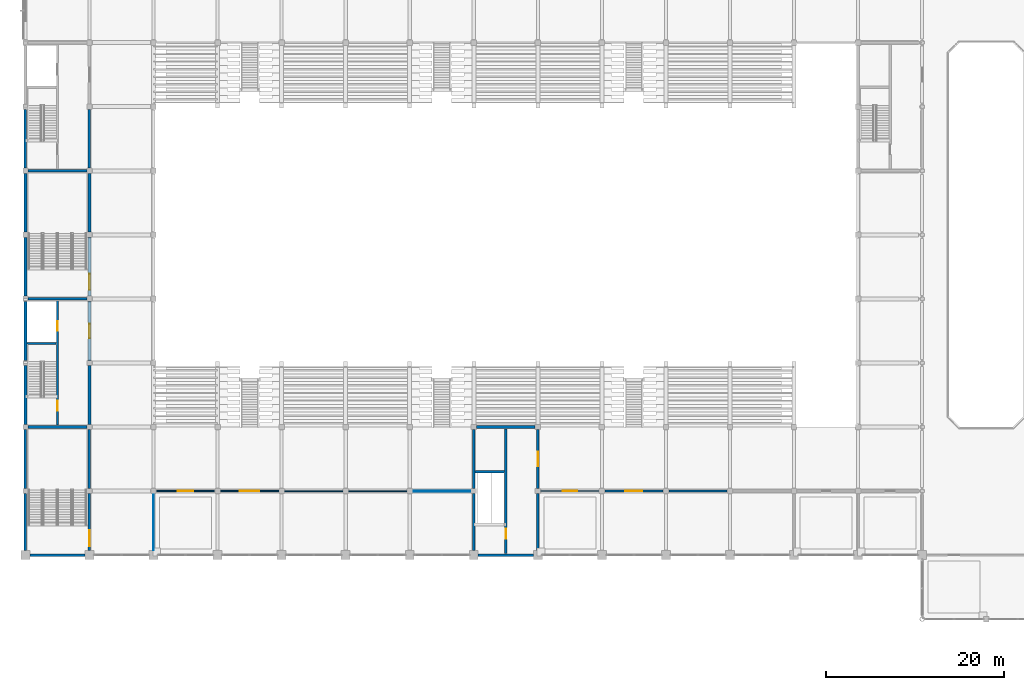
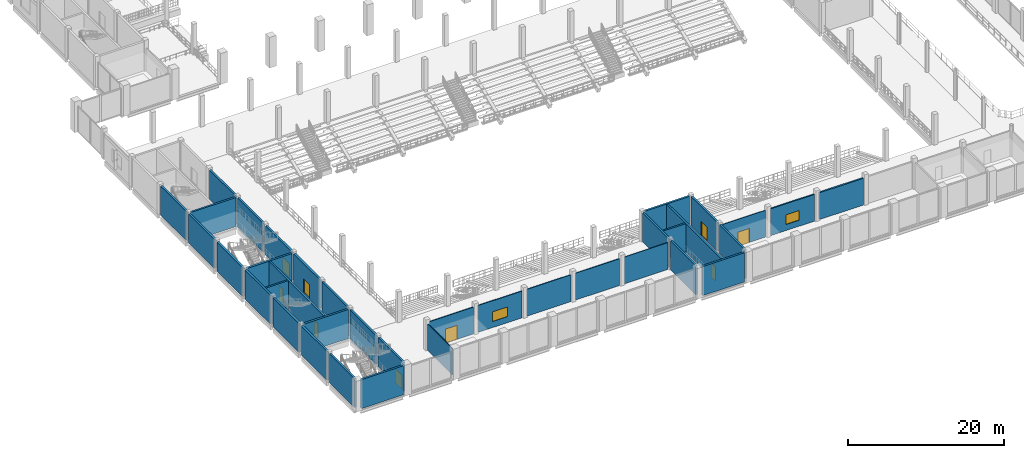
# One storey, part 65 of 99: 37 walls, 9 doors, 2 windows, 11 openings.
"""IFC4 building model written with IfcOpenShell, lengths in metres."""

from ifc_helpers import new_model, si_unit, direction, frame, frame_2d, origin, place, context, subcontext, project, spatial, rectangle, extrude, material, layer, layer_set, type_object, element, fill, save


model = new_model("IFC4")

# Units and contexts
model_context = context("Model", 3, precision=1e-05, world=origin(), true_north=direction((0.0, 1.0)))
body_context = subcontext(model_context, "Body", "Model", "MODEL_VIEW")
ifc_project = project(units=[si_unit("LENGTHUNIT", "METRE"), si_unit("AREAUNIT", "SQUARE_METRE"), si_unit("VOLUMEUNIT", "CUBIC_METRE"), si_unit("PLANEANGLEUNIT", "RADIAN"), si_unit("MASSUNIT", "GRAM", prefix="KILO")], contexts=[model_context])

# Site, building, storey
site_placement = place(None, origin())
site = spatial("IfcSite", under=ifc_project, at=site_placement, CompositionType="ELEMENT")
building_placement = place(site_placement, origin())
building = spatial("IfcBuilding", under=site, at=building_placement, Name="Vesperath Aquatics Centre", CompositionType="ELEMENT")
storey_placement = place(building_placement, frame((0.0, 0.0, 5.39990234375)))
storey = spatial("IfcBuildingStorey", under=building, at=storey_placement, Name="L01", CompositionType="ELEMENT", Elevation=5.39990234375)

# Wall
ifc_material_1 = material(Name="Autoclaved aerated masonry blockwork", Category="masonry")
ifc_layer_1 = layer(ifc_material_1, 0.22998046875)
ifc_layer_set_1 = layer_set([ifc_layer_1], Name="Autoclaved aerated masonry blockwork")
wall_type_1 = type_object("IfcWallType", Name="WL-FW01", PredefinedType="SOLIDWALL", material=ifc_layer_set_1)
wall_1_placement = place(storey_placement, frame((72.35009765625, 21.60009765625, 0.0), z_axis=(0.0, 0.0, 1.0), x_axis=(1.0, 0.0, 0.0)))
element("IfcWall", 1, at=wall_1_placement, inside=storey, type_object=wall_type_1, Name="Interior Partition FW01 L01_KIOSK_S2-N3", PredefinedType="SOLIDWALL", context=body_context, shape_type="SweptSolid", body=[
    extrude(rectangle(XDim=6.5, YDim=0.22998046875, at=frame_2d((3.25, 0.0))), origin(), (0.0, 0.0, 1.0), 4.190185546875),
])

# Wall, opening, door
ifc_material_2 = material(Name="Changing cubicle masonry-backed partition", Category="masonry")
ifc_layer_2 = layer(ifc_material_2, 0.137939453125)
ifc_layer_set_2 = layer_set([ifc_layer_2], Name="Changing cubicle masonry-backed partition")
wall_type_2 = type_object("IfcWallType", Name="WL-IW07", PredefinedType="PARTITIONING", material=ifc_layer_set_2)
wall_2_placement = place(storey_placement, frame((14.75, 21.60009765625, 0.0), z_axis=(0.0, 0.0, 1.0), x_axis=(1.0, 0.0, 0.0)))
wall_2 = element("IfcWall", 2, at=wall_2_placement, inside=storey, type_object=wall_type_2, Name="Interior Partition IW07 L01_KIOSK_S1-N1", PredefinedType="PARTITIONING", context=body_context, shape_type="SweptSolid", body=[
    extrude(rectangle(XDim=6.5, YDim=0.137939453125, at=frame_2d((3.25, 0.0))), origin(), (0.0, 0.0, 1.0), 4.190185546875),
])
opening_1_placement = place(wall_2_placement, frame((2.39990234375, 0.0, 0.0)))
opening_1 = element("IfcOpeningElement", 3, at=opening_1_placement, cuts=wall_2, Name="Opening D09", PredefinedType="OPENING", context=body_context, shape_type="SweptSolid", body=[
    extrude(rectangle(XDim=1.699951171875, YDim=2.199951171875, at=frame_2d((0.85009765625, 1.10009765625))), frame((0.0, 0.083984375, 0.0), z_axis=(0.0, -1.0, 0.0), x_axis=(1.0, 0.0, 0.0)), (0.0, 0.0, 1.0), 0.167724609375),
])
ifc_material_3 = material(Name="Wet-village marine-grade aluminium double door", Category="aluminium")
door_type_1 = type_object("IfcDoorType", Name="DR-RM01", OperationType="DOUBLE_SWING_LEFT", PredefinedType="DOOR", material=ifc_material_3)
door_1_placement = place(opening_1_placement, frame((1.699951171875, 0.0, 0.0), z_axis=(0.0, 0.0, 1.0), x_axis=(-1.0, 0.0, 0.0)))
door_1 = element("IfcDoor", 4, at=door_1_placement, inside=storey, type_object=door_type_1, Name="South-West Spectator Refreshment Kiosk Door D09", OperationType="DOUBLE_SWING_LEFT", OverallHeight=2.199951171875, OverallWidth=1.699951171875, PredefinedType="DOOR", context=body_context, shape_type="SweptSolid", body=[
    extrude(rectangle(XDim=1.699951171875, YDim=2.199951171875, at=frame_2d((0.85009765625, 1.10009765625))), frame((0.0, 0.02490234375, 0.0), z_axis=(0.0, -1.0, 0.0), x_axis=(1.0, 0.0, 0.0)), (0.0, 0.0, 1.0), 0.050048828125),
])
fill(opening_1, door_1)

# Wall, opening, window
ifc_material_4 = material(Name="Sanitary plumbing wall", Category="gypsum")
ifc_layer_3 = layer(ifc_material_4, 0.1298828125)
ifc_layer_set_3 = layer_set([ifc_layer_3], Name="Sanitary plumbing wall")
wall_type_3 = type_object("IfcWallType", Name="WL-IW08", PredefinedType="PARTITIONING", material=ifc_layer_set_3)
wall_3_placement = place(storey_placement, frame((21.949951171875, 21.60009765625, 0.0), z_axis=(0.0, 0.0, 1.0), x_axis=(1.0, 0.0, 0.0)))
wall_3 = element("IfcWall", 5, at=wall_3_placement, inside=storey, type_object=wall_type_3, Name="Interior Partition IW08 L01_KIOSK_S1-N2", PredefinedType="PARTITIONING", context=body_context, shape_type="SweptSolid", body=[
    extrude(rectangle(XDim=6.5, YDim=0.1298828125, at=frame_2d((3.25, 0.0))), origin(), (0.0, 0.0, 1.0), 4.190185546875),
])
opening_2_placement = place(wall_3_placement, frame((2.14990234375, 0.0, 0.949951171875)))
opening_2 = element("IfcOpeningElement", 6, at=opening_2_placement, cuts=wall_3, Name="Opening VW03", PredefinedType="OPENING", context=body_context, shape_type="SweptSolid", body=[
    extrude(rectangle(XDim=2.199951171875, YDim=1.5, at=frame_2d((1.10009765625, 0.75))), frame((0.0, 0.079833984375, 0.0), z_axis=(0.0, -1.0, 0.0), x_axis=(1.0, 0.0, 0.0)), (0.0, 0.0, 1.0), 0.15966796875),
])
ifc_material_5 = material(Name="Acoustic laminated interior viewing glazing", Category="glass")
window_type_1 = type_object("IfcWindowType", Name="WN-IW03", PartitioningType="SINGLE_PANEL", PredefinedType="WINDOW", material=ifc_material_5)
window_1_placement = place(opening_2_placement, origin())
window_1 = element("IfcWindow", 7, at=window_1_placement, inside=storey, type_object=window_type_1, Name="Interior Viewing Window VW03 L01_KIOSK_S1", OverallHeight=1.5, OverallWidth=2.199951171875, PartitioningType="SINGLE_PANEL", PredefinedType="WINDOW", context=body_context, shape_type="SweptSolid", body=[
    extrude(rectangle(XDim=2.199951171875, YDim=1.5, at=frame_2d((1.10009765625, 0.75))), frame((0.0, 0.030029296875, 0.0), z_axis=(0.0, -1.0, 0.0), x_axis=(1.0, 0.0, 0.0)), (0.0, 0.0, 1.0), 0.06005859375),
])
fill(opening_2, window_1)

# Walls
ifc_material_6 = material(Name="Office dry-lined partition", Category="gypsum")
ifc_layer_4 = layer(ifc_material_6, 0.1220703125)
ifc_layer_set_4 = layer_set([ifc_layer_4], Name="Office dry-lined partition")
wall_type_4 = type_object("IfcWallType", Name="WL-IW09", PredefinedType="PARTITIONING", material=ifc_layer_set_4)
wall_4_placement = place(storey_placement, frame((29.14990234375, 21.60009765625, 0.0), z_axis=(0.0, 0.0, 1.0), x_axis=(1.0, 0.0, 0.0)))
element("IfcWall", 8, at=wall_4_placement, inside=storey, type_object=wall_type_4, Name="Interior Partition IW09 L01_KIOSK_S1-N3", PredefinedType="PARTITIONING", context=body_context, shape_type="SweptSolid", body=[
    extrude(rectangle(XDim=6.5, YDim=0.1220703125, at=frame_2d((3.25, 0.0))), origin(), (0.0, 0.0, 1.0), 4.190185546875),
])
ifc_material_7 = material(Name="Store dry-lined partition", Category="gypsum")
ifc_layer_5 = layer(ifc_material_7, 0.114990234375)
ifc_layer_set_5 = layer_set([ifc_layer_5], Name="Store dry-lined partition")
wall_type_5 = type_object("IfcWallType", Name="WL-IW10", PredefinedType="PARTITIONING", material=ifc_layer_set_5)
wall_5_placement = place(storey_placement, frame((36.35009765625, 21.60009765625, 0.0), z_axis=(0.0, 0.0, 1.0), x_axis=(1.0, 0.0, 0.0)))
element("IfcWall", 9, at=wall_5_placement, inside=storey, type_object=wall_type_5, Name="Interior Partition IW10 L01_KIOSK_S1-N4", PredefinedType="PARTITIONING", context=body_context, shape_type="SweptSolid", body=[
    extrude(rectangle(XDim=6.5, YDim=0.114990234375, at=frame_2d((3.25, 0.0))), origin(), (0.0, 0.0, 1.0), 4.190185546875),
])
ifc_material_8 = material(Name="Kiosk counter partition", Category="gypsum")
ifc_layer_6 = layer(ifc_material_8, 0.10791015625)
ifc_layer_set_6 = layer_set([ifc_layer_6], Name="Kiosk counter partition")
wall_type_6 = type_object("IfcWallType", Name="WL-IW11", PredefinedType="PARTITIONING", material=ifc_layer_set_6)
wall_6_placement = place(storey_placement, frame((43.550048828125, 21.60009765625, 0.0), z_axis=(0.0, 0.0, 1.0), x_axis=(1.0, 0.0, 0.0)))
element("IfcWall", 10, at=wall_6_placement, inside=storey, type_object=wall_type_6, Name="Interior Partition IW11 L01_KIOSK_S1-N5", PredefinedType="PARTITIONING", context=body_context, shape_type="SweptSolid", body=[
    extrude(rectangle(XDim=6.5, YDim=0.10791015625, at=frame_2d((3.25, 0.0))), origin(), (0.0, 0.0, 1.0), 4.190185546875),
])
ifc_material_9 = material(Name="Light room sub-partition", Category="gypsum")
ifc_layer_7 = layer(ifc_material_9, 0.10009765625)
ifc_layer_set_7 = layer_set([ifc_layer_7], Name="Light room sub-partition")
wall_type_7 = type_object("IfcWallType", Name="WL-IW12", PredefinedType="PARTITIONING", material=ifc_layer_set_7)
wall_7_placement = place(storey_placement, frame((14.39990234375, 14.949951171875, 0.0), z_axis=(0.0, 0.0, 1.0), x_axis=(0.0, 1.0, 0.0)))
element("IfcWall", 11, at=wall_7_placement, inside=storey, type_object=wall_type_7, Name="Interior Partition IW12 L01_KIOSK_S1-W1", PredefinedType="PARTITIONING", context=body_context, shape_type="SweptSolid", body=[
    extrude(rectangle(XDim=6.300048828125, YDim=0.10009765625, at=frame_2d((3.14990234375, 0.0))), origin(), (0.0, 0.0, 1.0), 4.150146484375),
])

# Wall, opening, door
ifc_material_10 = material(Name="Poolside glazed screen partition", Category="gypsum")
ifc_layer_8 = layer(ifc_material_10, 0.094970703125)
ifc_layer_set_8 = layer_set([ifc_layer_8], Name="Poolside glazed screen partition")
wall_type_8 = type_object("IfcWallType", Name="WL-IW13", PredefinedType="PARTITIONING", material=ifc_layer_set_8)
wall_8_placement = place(storey_placement, frame((57.949951171875, 21.60009765625, 0.0), z_axis=(0.0, 0.0, 1.0), x_axis=(1.0, 0.0, 0.0)))
wall_8 = element("IfcWall", 12, at=wall_8_placement, inside=storey, type_object=wall_type_8, Name="Interior Partition IW13 L01_KIOSK_S2-N1", PredefinedType="PARTITIONING", context=body_context, shape_type="SweptSolid", body=[
    extrude(rectangle(XDim=6.5, YDim=0.094970703125, at=frame_2d((3.25, 0.0))), origin(), (0.0, 0.0, 1.0), 4.190185546875),
])
opening_3_placement = place(wall_8_placement, frame((2.425048828125, 0.0, 0.0)))
opening_3 = element("IfcOpeningElement", 13, at=opening_3_placement, cuts=wall_8, Name="Opening D10", PredefinedType="OPENING", context=body_context, shape_type="SweptSolid", body=[
    extrude(rectangle(XDim=1.64990234375, YDim=2.199951171875, at=frame_2d((0.824951171875, 1.10009765625))), frame((0.0, 0.0625, 0.0), z_axis=(0.0, -1.0, 0.0), x_axis=(1.0, 0.0, 0.0)), (0.0, 0.0, 1.0), 0.124755859375),
])
ifc_material_11 = material(Name="Team changing double fire door", Category="steel")
door_type_2 = type_object("IfcDoorType", Name="DR-RM02", OperationType="DOUBLE_SWING_LEFT", PredefinedType="DOOR", material=ifc_material_11)
door_2_placement = place(opening_3_placement, frame((1.64990234375, 0.0, 0.0), z_axis=(0.0, 0.0, 1.0), x_axis=(-1.0, 0.0, 0.0)))
door_2 = element("IfcDoor", 14, at=door_2_placement, inside=storey, type_object=door_type_2, Name="South-East Spectator Refreshment Bar Door D10", OperationType="DOUBLE_SWING_LEFT", OverallHeight=2.199951171875, OverallWidth=1.64990234375, PredefinedType="DOOR", context=body_context, shape_type="SweptSolid", body=[
    extrude(rectangle(XDim=1.64990234375, YDim=2.199951171875, at=frame_2d((0.824951171875, 1.10009765625))), frame((0.0, 0.02490234375, 0.0), z_axis=(0.0, -1.0, 0.0), x_axis=(1.0, 0.0, 0.0)), (0.0, 0.0, 1.0), 0.050048828125),
])
fill(opening_3, door_2)

# Wall, opening, window
ifc_material_12 = material(Name="Shaft enclosure fire partition", Category="gypsum")
ifc_layer_9 = layer(ifc_material_12, 0.195068359375)
ifc_layer_set_9 = layer_set([ifc_layer_9], Name="Shaft enclosure fire partition")
wall_type_9 = type_object("IfcWallType", Name="WL-IW14", PredefinedType="PARTITIONING", material=ifc_layer_set_9)
wall_9_placement = place(storey_placement, frame((65.14990234375, 21.60009765625, 0.0), z_axis=(0.0, 0.0, 1.0), x_axis=(1.0, 0.0, 0.0)))
wall_9 = element("IfcWall", 15, at=wall_9_placement, inside=storey, type_object=wall_type_9, Name="Interior Partition IW14 L01_KIOSK_S2-N2", PredefinedType="PARTITIONING", context=body_context, shape_type="SweptSolid", body=[
    extrude(rectangle(XDim=6.5, YDim=0.195068359375, at=frame_2d((3.25, 0.0))), origin(), (0.0, 0.0, 1.0), 4.190185546875),
])
opening_4_placement = place(wall_9_placement, frame((2.300048828125, 0.0, 0.949951171875)))
opening_4 = element("IfcOpeningElement", 16, at=opening_4_placement, cuts=wall_9, Name="Opening VW04", PredefinedType="OPENING", context=body_context, shape_type="SweptSolid", body=[
    extrude(rectangle(XDim=1.89990234375, YDim=1.5, at=frame_2d((0.949951171875, 0.75))), frame((0.0, 0.1123046875, 0.0), z_axis=(0.0, -1.0, 0.0), x_axis=(1.0, 0.0, 0.0)), (0.0, 0.0, 1.0), 0.224853515625),
])
window_type_2 = type_object("IfcWindowType", Name="WN-IW04", PartitioningType="SINGLE_PANEL", PredefinedType="WINDOW", material=ifc_material_5)
window_2_placement = place(opening_4_placement, origin())
window_2 = element("IfcWindow", 17, at=window_2_placement, inside=storey, type_object=window_type_2, Name="Interior Viewing Window VW04 L01_KIOSK_S2", OverallHeight=1.5, OverallWidth=1.89990234375, PartitioningType="SINGLE_PANEL", PredefinedType="WINDOW", context=body_context, shape_type="SweptSolid", body=[
    extrude(rectangle(XDim=1.89990234375, YDim=1.5, at=frame_2d((0.949951171875, 0.75))), frame((0.0, 0.030029296875, 0.0), z_axis=(0.0, -1.0, 0.0), x_axis=(1.0, 0.0, 0.0)), (0.0, 0.0, 1.0), 0.06005859375),
])
fill(opening_4, window_2)

# Walls
ifc_material_13 = material(Name="Concrete C40", Category="concrete")
ifc_layer_10 = layer(ifc_material_13, 0.300048828125)
ifc_layer_set_10 = layer_set([ifc_layer_10], Name="Concrete C40")
wall_type_10 = type_object("IfcWallType", Name="WL-SW01", PredefinedType="SHEAR", material=ifc_layer_set_10)
for number, where, z_axis, x_axis, name in (
    (18, (0.300048828125, 28.800048828125, 0.0), (0.0, 0.0, 1.0), (1.0, 0.0, 0.0), "Core C1 South Shear Wall SW01 L01"),
    (19, (0.300048828125, 43.199951171875, 0.0), (0.0, 0.0, 1.0), (1.0, 0.0, 0.0), "Core C1 North Shear Wall SW01 L01"),
    (20, (7.199951171875, 29.10009765625, 0.0), (0.0, 0.0, 1.0), (0.0, 1.0, 0.0), "Core C1 East-1 Shear Wall SW01 L01"),
):
    element("IfcWall", number, at=place(storey_placement, frame(where, z_axis=z_axis, x_axis=x_axis)), inside=storey, type_object=wall_type_10, Name=name, PredefinedType="SHEAR", context=body_context, shape_type="SweptSolid", body=[
        extrude(rectangle(XDim=6.599853515625, YDim=0.300048828125, at=frame_2d((3.2998046875, 0.0))), origin(), (0.0, 0.0, 1.0), 4.5400390625),
    ])

# Wall, opening, door
wall_10_placement = place(storey_placement, frame((7.199951171875, 36.300048828125, 0.0), z_axis=(0.0, 0.0, 1.0), x_axis=(0.0, 1.0, 0.0)))
wall_10 = element("IfcWall", 21, at=wall_10_placement, inside=storey, type_object=wall_type_10, Name="Core C1 East-2 Shear Wall SW01 L01", PredefinedType="SHEAR", context=body_context, shape_type="SweptSolid", body=[
    extrude(rectangle(XDim=6.599853515625, YDim=0.300048828125, at=frame_2d((3.2998046875, 0.0))), origin(), (0.0, 0.0, 1.0), 4.5400390625),
])
opening_5_placement = place(wall_10_placement, frame((2.5, 0.0, 0.0)))
opening_5 = element("IfcOpeningElement", 22, at=opening_5_placement, cuts=wall_10, Name="Opening D02", PredefinedType="OPENING", context=body_context, shape_type="SweptSolid", body=[
    extrude(rectangle(XDim=1.60009765625, YDim=2.199951171875, at=frame_2d((0.800048828125, 1.10009765625))), frame((0.0, 0.1650390625, 0.0), z_axis=(0.0, -1.0, 0.0), x_axis=(1.0, 0.0, 0.0)), (0.0, 0.0, 1.0), 0.329833984375),
])
ifc_material_14 = material(Name="Glazed fire-rated lobby double door", Category="steel")
door_type_3 = type_object("IfcDoorType", Name="DR-FD02", OperationType="DOUBLE_SWING_LEFT", PredefinedType="DOOR", material=ifc_material_14)
door_3_placement = place(opening_5_placement, frame((1.60009765625, 0.0, 0.0), z_axis=(0.0, 0.0, 1.0), x_axis=(-1.0, 0.0, 0.0)))
door_3 = element("IfcDoor", 23, at=door_3_placement, inside=storey, type_object=door_type_3, Name="Core C1 Lobby Fire Door D02 L01", OperationType="DOUBLE_SWING_LEFT", OverallHeight=2.199951171875, OverallWidth=1.60009765625, PredefinedType="DOOR", context=body_context, shape_type="SweptSolid", body=[
    extrude(rectangle(XDim=1.60009765625, YDim=2.199951171875, at=frame_2d((0.800048828125, 1.10009765625))), frame((0.0, 0.02490234375, 0.0), z_axis=(0.0, -1.0, 0.0), x_axis=(1.0, 0.0, 0.0)), (0.0, 0.0, 1.0), 0.050048828125),
])
fill(opening_5, door_3)

wall_11_placement = place(storey_placement, frame((7.199951171875, 43.5, 0.0), z_axis=(0.0, 0.0, 1.0), x_axis=(0.0, 1.0, 0.0)))
wall_11 = element("IfcWall", 24, at=wall_11_placement, inside=storey, type_object=wall_type_10, Name="Core C11 East-1 Shear Wall SW01 L01", PredefinedType="SHEAR", context=body_context, shape_type="SweptSolid", body=[
    extrude(rectangle(XDim=6.60009765625, YDim=0.300048828125, at=frame_2d((3.300048828125, 0.0))), origin(), (0.0, 0.0, 1.0), 4.5400390625),
])
opening_6_placement = place(wall_11_placement, frame((0.699951171875, 0.0, 0.0)))
opening_6 = element("IfcOpeningElement", 25, at=opening_6_placement, cuts=wall_11, Name="Opening D03", PredefinedType="OPENING", context=body_context, shape_type="SweptSolid", body=[
    extrude(rectangle(XDim=1.800048828125, YDim=2.199951171875, at=frame_2d((0.89990234375, 1.10009765625))), frame((0.0, 0.1650390625, 0.0), z_axis=(0.0, -1.0, 0.0), x_axis=(1.0, 0.0, 0.0)), (0.0, 0.0, 1.0), 0.329833984375),
])
ifc_material_15 = material(Name="Corridor smoke-control double fire door", Category="steel")
door_type_4 = type_object("IfcDoorType", Name="DR-FD03", OperationType="DOUBLE_SWING_LEFT", PredefinedType="DOOR", material=ifc_material_15)
door_4_placement = place(opening_6_placement, origin())
door_4 = element("IfcDoor", 26, at=door_4_placement, inside=storey, type_object=door_type_4, Name="Stair ST11 Fire Door D03 L01", OperationType="DOUBLE_SWING_LEFT", OverallHeight=2.199951171875, OverallWidth=1.800048828125, PredefinedType="DOOR", context=body_context, shape_type="SweptSolid", body=[
    extrude(rectangle(XDim=1.800048828125, YDim=2.199951171875, at=frame_2d((0.89990234375, 1.10009765625))), frame((0.0, 0.02490234375, 0.0), z_axis=(0.0, -1.0, 0.0), x_axis=(1.0, 0.0, 0.0)), (0.0, 0.0, 1.0), 0.050048828125),
])
fill(opening_6, door_4)

# Walls
wall_12_placement = place(storey_placement, frame((7.199951171875, 50.699951171875, 0.0), z_axis=(0.0, 0.0, 1.0), x_axis=(0.0, 1.0, 0.0)))
element("IfcWall", 27, at=wall_12_placement, inside=storey, type_object=wall_type_10, Name="Core C11 East-2 Shear Wall SW01 L01", PredefinedType="SHEAR", context=body_context, shape_type="SweptSolid", body=[
    extrude(rectangle(XDim=6.60009765625, YDim=0.300048828125, at=frame_2d((3.300048828125, 0.0))), origin(), (0.0, 0.0, 1.0), 4.5400390625),
])
ifc_layer_11 = layer(ifc_material_13, 0.280029296875)
ifc_layer_set_11 = layer_set([ifc_layer_11], Name="Concrete C40")
wall_type_11 = type_object("IfcWallType", Name="WL-SW02", PredefinedType="SHEAR", material=ifc_layer_set_11)
wall_13_placement = place(storey_placement, frame((0.300048828125, 57.60009765625, 0.0), z_axis=(0.0, 0.0, 1.0), x_axis=(1.0, 0.0, 0.0)))
element("IfcWall", 28, at=wall_13_placement, inside=storey, type_object=wall_type_11, Name="Core C2 South Shear Wall SW02 L01", PredefinedType="SHEAR", context=body_context, shape_type="SweptSolid", body=[
    extrude(rectangle(XDim=6.599853515625, YDim=0.280029296875, at=frame_2d((3.2998046875, 0.0))), origin(), (0.0, 0.0, 1.0), 4.5400390625),
])
wall_14_placement = place(storey_placement, frame((7.199951171875, 57.89990234375, 0.0), z_axis=(0.0, 0.0, 1.0), x_axis=(0.0, 1.0, 0.0)))
element("IfcWall", 29, at=wall_14_placement, inside=storey, type_object=wall_type_11, Name="Core C2 East-1 Shear Wall SW02 L01", PredefinedType="SHEAR", context=body_context, shape_type="SweptSolid", body=[
    extrude(rectangle(XDim=6.60009765625, YDim=0.280029296875, at=frame_2d((3.300048828125, 0.0))), origin(), (0.0, 0.0, 1.0), 4.5400390625),
])
wall_15_placement = place(storey_placement, frame((50.39990234375, 14.89990234375, 0.0), z_axis=(0.0, 0.0, 1.0), x_axis=(0.0, 1.0, 0.0)))
element("IfcWall", 30, at=wall_15_placement, inside=storey, type_object=wall_type_11, Name="Core C9 West-1 Shear Wall SW02 L01", PredefinedType="SHEAR", context=body_context, shape_type="SweptSolid", body=[
    extrude(rectangle(XDim=6.400146484375, YDim=0.280029296875, at=frame_2d((3.2001953125, 0.0))), origin(), (0.0, 0.0, 1.0), 4.5400390625),
])
wall_16_placement = place(storey_placement, frame((50.39990234375, 21.89990234375, 0.0), z_axis=(0.0, 0.0, 1.0), x_axis=(0.0, 1.0, 0.0)))
element("IfcWall", 31, at=wall_16_placement, inside=storey, type_object=wall_type_11, Name="Core C9 West-2 Shear Wall SW02 L01", PredefinedType="SHEAR", context=body_context, shape_type="SweptSolid", body=[
    extrude(rectangle(XDim=6.60009765625, YDim=0.280029296875, at=frame_2d((3.300048828125, 0.0))), origin(), (0.0, 0.0, 1.0), 4.5400390625),
])
wall_17_placement = place(storey_placement, frame((57.60009765625, 14.89990234375, 0.0), z_axis=(0.0, 0.0, 1.0), x_axis=(0.0, 1.0, 0.0)))
element("IfcWall", 32, at=wall_17_placement, inside=storey, type_object=wall_type_11, Name="Core C9 East-1 Shear Wall SW02 L01", PredefinedType="SHEAR", context=body_context, shape_type="SweptSolid", body=[
    extrude(rectangle(XDim=6.400146484375, YDim=0.280029296875, at=frame_2d((3.2001953125, 0.0))), origin(), (0.0, 0.0, 1.0), 4.5400390625),
])

# Wall, opening, door
wall_18_placement = place(storey_placement, frame((57.60009765625, 21.89990234375, 0.0), z_axis=(0.0, 0.0, 1.0), x_axis=(0.0, 1.0, 0.0)))
wall_18 = element("IfcWall", 33, at=wall_18_placement, inside=storey, type_object=wall_type_11, Name="Core C9 East-2 Shear Wall SW02 L01", PredefinedType="SHEAR", context=body_context, shape_type="SweptSolid", body=[
    extrude(rectangle(XDim=6.60009765625, YDim=0.280029296875, at=frame_2d((3.300048828125, 0.0))), origin(), (0.0, 0.0, 1.0), 4.5400390625),
])
opening_7_placement = place(wall_18_placement, frame((2.5, 0.0, 0.0)))
opening_7 = element("IfcOpeningElement", 34, at=opening_7_placement, cuts=wall_18, Name="Opening D02", PredefinedType="OPENING", context=body_context, shape_type="SweptSolid", body=[
    extrude(rectangle(XDim=1.60009765625, YDim=2.199951171875, at=frame_2d((0.800048828125, 1.10009765625))), frame((0.0, 0.15478515625, 0.0), z_axis=(0.0, -1.0, 0.0), x_axis=(1.0, 0.0, 0.0)), (0.0, 0.0, 1.0), 0.309814453125),
])
door_5_placement = place(opening_7_placement, frame((1.60009765625, 0.0, 0.0), z_axis=(0.0, 0.0, 1.0), x_axis=(-1.0, 0.0, 0.0)))
door_5 = element("IfcDoor", 35, at=door_5_placement, inside=storey, type_object=door_type_3, Name="Core C9 Lobby Fire Door D02 L01", OperationType="DOUBLE_SWING_LEFT", OverallHeight=2.199951171875, OverallWidth=1.60009765625, PredefinedType="DOOR", context=body_context, shape_type="SweptSolid", body=[
    extrude(rectangle(XDim=1.60009765625, YDim=2.199951171875, at=frame_2d((0.800048828125, 1.10009765625))), frame((0.0, 0.02490234375, 0.0), z_axis=(0.0, -1.0, 0.0), x_axis=(1.0, 0.0, 0.0)), (0.0, 0.0, 1.0), 0.050048828125),
])
fill(opening_7, door_5)

wall_19_placement = place(storey_placement, frame((7.199951171875, 14.89990234375, 0.0), z_axis=(0.0, 0.0, 1.0), x_axis=(0.0, 1.0, 0.0)))
wall_19 = element("IfcWall", 36, at=wall_19_placement, inside=storey, type_object=wall_type_11, Name="Core C10 East-1 Shear Wall SW02 L01", PredefinedType="SHEAR", context=body_context, shape_type="SweptSolid", body=[
    extrude(rectangle(XDim=6.400146484375, YDim=0.280029296875, at=frame_2d((3.2001953125, 0.0))), origin(), (0.0, 0.0, 1.0), 4.5400390625),
])
opening_8_placement = place(wall_19_placement, frame((0.5, 0.0, 0.0)))
opening_8 = element("IfcOpeningElement", 37, at=opening_8_placement, cuts=wall_19, Name="Opening D03", PredefinedType="OPENING", context=body_context, shape_type="SweptSolid", body=[
    extrude(rectangle(XDim=1.800048828125, YDim=2.199951171875, at=frame_2d((0.89990234375, 1.10009765625))), frame((0.0, 0.15478515625, 0.0), z_axis=(0.0, -1.0, 0.0), x_axis=(1.0, 0.0, 0.0)), (0.0, 0.0, 1.0), 0.309814453125),
])
door_6_placement = place(opening_8_placement, origin())
door_6 = element("IfcDoor", 38, at=door_6_placement, inside=storey, type_object=door_type_4, Name="Stair ST10 Fire Door D03 L01", OperationType="DOUBLE_SWING_LEFT", OverallHeight=2.199951171875, OverallWidth=1.800048828125, PredefinedType="DOOR", context=body_context, shape_type="SweptSolid", body=[
    extrude(rectangle(XDim=1.800048828125, YDim=2.199951171875, at=frame_2d((0.89990234375, 1.10009765625))), frame((0.0, 0.02490234375, 0.0), z_axis=(0.0, -1.0, 0.0), x_axis=(1.0, 0.0, 0.0)), (0.0, 0.0, 1.0), 0.050048828125),
])
fill(opening_8, door_6)

# Wall
wall_20_placement = place(storey_placement, frame((7.199951171875, 21.89990234375, 0.0), z_axis=(0.0, 0.0, 1.0), x_axis=(0.0, 1.0, 0.0)))
element("IfcWall", 39, at=wall_20_placement, inside=storey, type_object=wall_type_11, Name="Core C10 East-2 Shear Wall SW02 L01", PredefinedType="SHEAR", context=body_context, shape_type="SweptSolid", body=[
    extrude(rectangle(XDim=6.60009765625, YDim=0.280029296875, at=frame_2d((3.300048828125, 0.0))), origin(), (0.0, 0.0, 1.0), 4.5400390625),
])

# Wall, openings, doors
ifc_layer_12 = layer(ifc_material_13, 0.260009765625)
ifc_layer_set_12 = layer_set([ifc_layer_12], Name="Concrete C40")
wall_type_12 = type_object("IfcWallType", Name="WL-SW03", PredefinedType="SHEAR", material=ifc_layer_set_12)
wall_21_placement = place(storey_placement, frame((3.60009765625, 29.0, 0.0), z_axis=(0.0, 0.0, 1.0), x_axis=(0.0, 1.0, 0.0)))
wall_21 = element("IfcWall", 40, at=wall_21_placement, inside=storey, type_object=wall_type_12, Name="Core C1 Spine Shear Wall SW03 L01", PredefinedType="SHEAR", context=body_context, shape_type="SweptSolid", body=[
    extrude(rectangle(XDim=14.0, YDim=0.260009765625, at=frame_2d((7.0, 0.0))), origin(), (0.0, 0.0, 1.0), 4.5400390625),
])
opening_9_placement = place(wall_21_placement, frame((1.64990234375, 0.0, 0.0)))
opening_9 = element("IfcOpeningElement", 41, at=opening_9_placement, cuts=wall_21, Name="Opening D01", PredefinedType="OPENING", context=body_context, shape_type="SweptSolid", body=[
    extrude(rectangle(XDim=1.10009765625, YDim=2.14990234375, at=frame_2d((0.550048828125, 1.074951171875))), frame((0.0, 0.14501953125, 0.0), z_axis=(0.0, -1.0, 0.0), x_axis=(1.0, 0.0, 0.0)), (0.0, 0.0, 1.0), 0.289794921875),
])
opening_10_placement = place(wall_21_placement, frame((10.60009765625, 0.0, 0.0)))
opening_10 = element("IfcOpeningElement", 42, at=opening_10_placement, cuts=wall_21, Name="Opening LD01", PredefinedType="OPENING", context=body_context, shape_type="SweptSolid", body=[
    extrude(rectangle(XDim=1.10009765625, YDim=2.199951171875, at=frame_2d((0.550048828125, 1.10009765625))), frame((0.0, 0.14501953125, 0.0), z_axis=(0.0, -1.0, 0.0), x_axis=(1.0, 0.0, 0.0)), (0.0, 0.0, 1.0), 0.289794921875),
])
ifc_material_16 = material(Name="Steel-faced acoustic fire door", Category="steel")
door_type_5 = type_object("IfcDoorType", Name="DR-FD01", OperationType="NOTDEFINED", PredefinedType="DOOR", material=ifc_material_16)
door_7_placement = place(opening_9_placement, origin())
door_7 = element("IfcDoor", 43, at=door_7_placement, inside=storey, type_object=door_type_5, Name="Stair ST1 Fire Door D01 L01", OperationType="SINGLE_SWING_LEFT", OverallHeight=2.14990234375, OverallWidth=1.10009765625, PredefinedType="DOOR", context=body_context, shape_type="SweptSolid", body=[
    extrude(rectangle(XDim=1.10009765625, YDim=2.14990234375, at=frame_2d((0.550048828125, 1.074951171875))), frame((0.0, 0.02490234375, 0.0), z_axis=(0.0, -1.0, 0.0), x_axis=(1.0, 0.0, 0.0)), (0.0, 0.0, 1.0), 0.050048828125),
])
fill(opening_9, door_7)
ifc_material_17 = material(Name="Brushed stainless steel lift landing door", Category="steel")
door_type_6 = type_object("IfcDoorType", Name="DR-LD01", OperationType="SLIDING_TO_LEFT", PredefinedType="DOOR", material=ifc_material_17)
door_8_placement = place(opening_10_placement, frame((1.10009765625, 0.0, 0.0), z_axis=(0.0, 0.0, 1.0), x_axis=(-1.0, 0.0, 0.0)))
door_8 = element("IfcDoor", 44, at=door_8_placement, inside=storey, type_object=door_type_6, Name="Lift LFT-P1 Sliding Landing Door LD01 L01", OperationType="SLIDING_TO_LEFT", OverallHeight=2.199951171875, OverallWidth=1.10009765625, PredefinedType="DOOR", context=body_context, shape_type="SweptSolid", body=[
    extrude(rectangle(XDim=1.10009765625, YDim=2.199951171875, at=frame_2d((0.550048828125, 1.10009765625))), frame((0.0, 0.02490234375, 0.0), z_axis=(0.0, -1.0, 0.0), x_axis=(1.0, 0.0, 0.0)), (0.0, 0.0, 1.0), 0.050048828125),
])
fill(opening_10, door_8)

# Wall, opening, door
wall_22_placement = place(storey_placement, frame((54.0, 14.60009765625, 0.0), z_axis=(0.0, 0.0, 1.0), x_axis=(0.0, 1.0, 0.0)))
wall_22 = element("IfcWall", 45, at=wall_22_placement, inside=storey, type_object=wall_type_12, Name="Core C9 Spine Shear Wall SW03 L01", PredefinedType="SHEAR", context=body_context, shape_type="SweptSolid", body=[
    extrude(rectangle(XDim=14.0, YDim=0.260009765625, at=frame_2d((7.0, 0.0))), origin(), (0.0, 0.0, 1.0), 4.5400390625),
])
opening_11_placement = place(wall_22_placement, frame((1.64990234375, 0.0, 0.0)))
opening_11 = element("IfcOpeningElement", 46, at=opening_11_placement, cuts=wall_22, Name="Opening D01", PredefinedType="OPENING", context=body_context, shape_type="SweptSolid", body=[
    extrude(rectangle(XDim=1.10009765625, YDim=2.14990234375, at=frame_2d((0.550048828125, 1.074951171875))), frame((0.0, 0.14501953125, 0.0), z_axis=(0.0, -1.0, 0.0), x_axis=(1.0, 0.0, 0.0)), (0.0, 0.0, 1.0), 0.289794921875),
])
door_9_placement = place(opening_11_placement, origin())
door_9 = element("IfcDoor", 47, at=door_9_placement, inside=storey, type_object=door_type_5, Name="Stair ST9 Fire Door D01 L01", OperationType="SINGLE_SWING_LEFT", OverallHeight=2.14990234375, OverallWidth=1.10009765625, PredefinedType="DOOR", context=body_context, shape_type="SweptSolid", body=[
    extrude(rectangle(XDim=1.10009765625, YDim=2.14990234375, at=frame_2d((0.550048828125, 1.074951171875))), frame((0.0, 0.02490234375, 0.0), z_axis=(0.0, -1.0, 0.0), x_axis=(1.0, 0.0, 0.0)), (0.0, 0.0, 1.0), 0.050048828125),
])
fill(opening_11, door_9)

# Walls
ifc_layer_13 = layer(ifc_material_13, 0.25)
ifc_layer_set_13 = layer_set([ifc_layer_13], Name="Concrete C40")
wall_type_13 = type_object("IfcWallType", Name="WL-SW04", PredefinedType="SHEAR", material=ifc_layer_set_13)
for number, where, z_axis, x_axis, name in (
    (48, (0.159912109375, 38.179931640625, 0.0), (0.0, 0.0, 1.0), (1.0, 0.0, 0.0), "Core C1 Lift Shaft Wall SW04 L01"),
    (49, (50.56005859375, 23.780029296875, 0.0), (0.0, 0.0, 1.0), (1.0, 0.0, 0.0), "Core C9 Lift Shaft Wall SW04 L01"),
):
    element("IfcWall", number, at=place(storey_placement, frame(where, z_axis=z_axis, x_axis=x_axis)), inside=storey, type_object=wall_type_13, Name=name, PredefinedType="SHEAR", context=body_context, shape_type="SweptSolid", body=[
        extrude(rectangle(XDim=3.300048828125, YDim=0.25, at=frame_2d((1.64990234375, 0.0))), origin(), (0.0, 0.0, 1.0), 4.5400390625),
    ])
ifc_layer_14 = layer(ifc_material_13, 0.31005859375)
ifc_layer_set_14 = layer_set([ifc_layer_14], Name="Concrete C40")
wall_type_14 = type_object("IfcWallType", Name="WL-SW05", PredefinedType="SHEAR", material=ifc_layer_set_14)
for number, where, z_axis, x_axis, name in (
    (50, (0.0, 29.10009765625, 0.0), (0.0, 0.0, 1.0), (0.0, 1.0, 0.0), "Core C1 West-1 Shear Wall SW05 L01"),
    (51, (0.0, 36.300048828125, 0.0), (0.0, 0.0, 1.0), (0.0, 1.0, 0.0), "Core C1 West-2 Shear Wall SW05 L01"),
):
    element("IfcWall", number, at=place(storey_placement, frame(where, z_axis=z_axis, x_axis=x_axis)), inside=storey, type_object=wall_type_14, Name=name, PredefinedType="SHEAR", context=body_context, shape_type="SweptSolid", body=[
        extrude(rectangle(XDim=6.599853515625, YDim=0.31005859375, at=frame_2d((3.2998046875, 0.0))), origin(), (0.0, 0.0, 1.0), 4.5400390625),
    ])
for number, where, z_axis, x_axis, name in (
    (52, (0.0, 43.5, 0.0), (0.0, 0.0, 1.0), (0.0, 1.0, 0.0), "Core C11 West-1 Shear Wall SW05 L01"),
    (53, (0.0, 50.699951171875, 0.0), (0.0, 0.0, 1.0), (0.0, 1.0, 0.0), "Core C11 West-2 Shear Wall SW05 L01"),
):
    element("IfcWall", number, at=place(storey_placement, frame(where, z_axis=z_axis, x_axis=x_axis)), inside=storey, type_object=wall_type_14, Name=name, PredefinedType="SHEAR", context=body_context, shape_type="SweptSolid", body=[
        extrude(rectangle(XDim=6.60009765625, YDim=0.31005859375, at=frame_2d((3.300048828125, 0.0))), origin(), (0.0, 0.0, 1.0), 4.5400390625),
    ])
ifc_layer_15 = layer(ifc_material_13, 0.2900390625)
ifc_layer_set_15 = layer_set([ifc_layer_15], Name="Concrete C40")
wall_type_15 = type_object("IfcWallType", Name="WL-SW06", PredefinedType="SHEAR", material=ifc_layer_set_15)
wall_23_placement = place(storey_placement, frame((0.0, 57.89990234375, 0.0), z_axis=(0.0, 0.0, 1.0), x_axis=(0.0, 1.0, 0.0)))
element("IfcWall", 54, at=wall_23_placement, inside=storey, type_object=wall_type_15, Name="Core C2 West-1 Shear Wall SW06 L01", PredefinedType="SHEAR", context=body_context, shape_type="SweptSolid", body=[
    extrude(rectangle(XDim=6.60009765625, YDim=0.2900390625, at=frame_2d((3.300048828125, 0.0))), origin(), (0.0, 0.0, 1.0), 4.5400390625),
])
wall_24_placement = place(storey_placement, frame((50.89990234375, 14.39990234375, 0.0), z_axis=(0.0, 0.0, 1.0), x_axis=(1.0, 0.0, 0.0)))
element("IfcWall", 55, at=wall_24_placement, inside=storey, type_object=wall_type_15, Name="Core C9 South Shear Wall SW06 L01", PredefinedType="SHEAR", context=body_context, shape_type="SweptSolid", body=[
    extrude(rectangle(XDim=6.2001953125, YDim=0.2900390625, at=frame_2d((3.10009765625, 0.0))), origin(), (0.0, 0.0, 1.0), 4.5400390625),
])
wall_25_placement = place(storey_placement, frame((50.699951171875, 28.800048828125, 0.0), z_axis=(0.0, 0.0, 1.0), x_axis=(1.0, 0.0, 0.0)))
element("IfcWall", 56, at=wall_25_placement, inside=storey, type_object=wall_type_15, Name="Core C9 North Shear Wall SW06 L01", PredefinedType="SHEAR", context=body_context, shape_type="SweptSolid", body=[
    extrude(rectangle(XDim=6.60009765625, YDim=0.2900390625, at=frame_2d((3.300048828125, 0.0))), origin(), (0.0, 0.0, 1.0), 4.5400390625),
])
wall_26_placement = place(storey_placement, frame((0.5, 14.39990234375, 0.0), z_axis=(0.0, 0.0, 1.0), x_axis=(1.0, 0.0, 0.0)))
element("IfcWall", 57, at=wall_26_placement, inside=storey, type_object=wall_type_15, Name="Core C10 South Shear Wall SW06 L01", PredefinedType="SHEAR", context=body_context, shape_type="SweptSolid", body=[
    extrude(rectangle(XDim=6.199951171875, YDim=0.2900390625, at=frame_2d((3.10009765625, 0.0))), origin(), (0.0, 0.0, 1.0), 4.5400390625),
])
wall_27_placement = place(storey_placement, frame((0.0, 14.89990234375, 0.0), z_axis=(0.0, 0.0, 1.0), x_axis=(0.0, 1.0, 0.0)))
element("IfcWall", 58, at=wall_27_placement, inside=storey, type_object=wall_type_15, Name="Core C10 West-1 Shear Wall SW06 L01", PredefinedType="SHEAR", context=body_context, shape_type="SweptSolid", body=[
    extrude(rectangle(XDim=6.400146484375, YDim=0.2900390625, at=frame_2d((3.2001953125, 0.0))), origin(), (0.0, 0.0, 1.0), 4.5400390625),
])
wall_28_placement = place(storey_placement, frame((0.0, 21.89990234375, 0.0), z_axis=(0.0, 0.0, 1.0), x_axis=(0.0, 1.0, 0.0)))
element("IfcWall", 59, at=wall_28_placement, inside=storey, type_object=wall_type_15, Name="Core C10 West-2 Shear Wall SW06 L01", PredefinedType="SHEAR", context=body_context, shape_type="SweptSolid", body=[
    extrude(rectangle(XDim=6.60009765625, YDim=0.2900390625, at=frame_2d((3.300048828125, 0.0))), origin(), (0.0, 0.0, 1.0), 4.5400390625),
])

save(model, "model.ifc")
